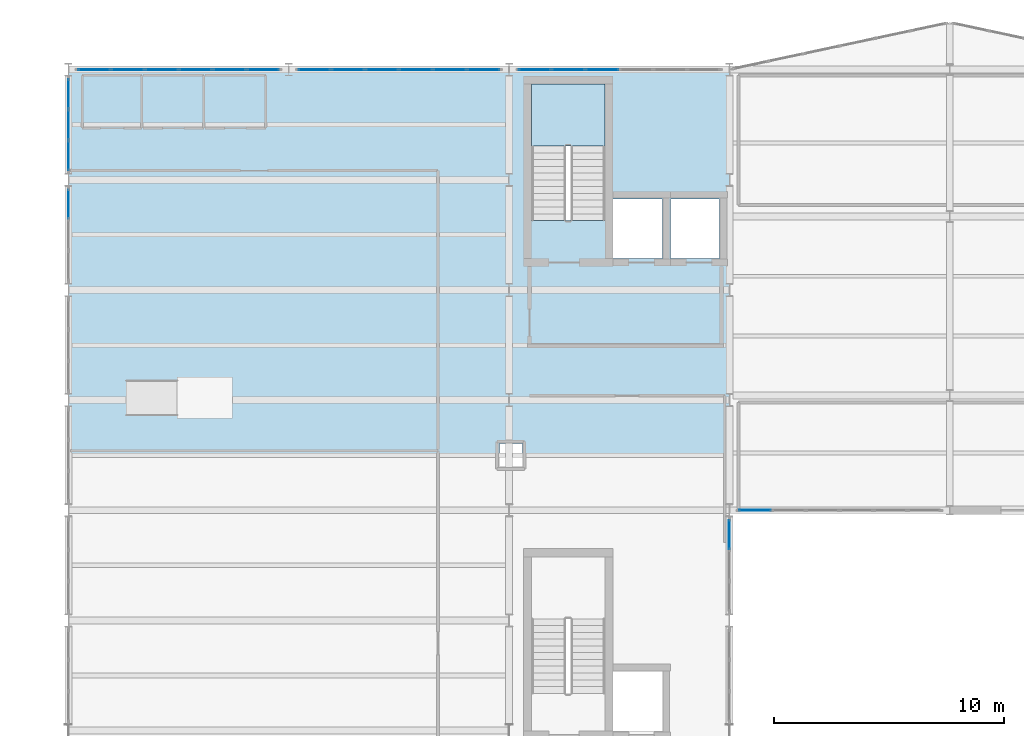
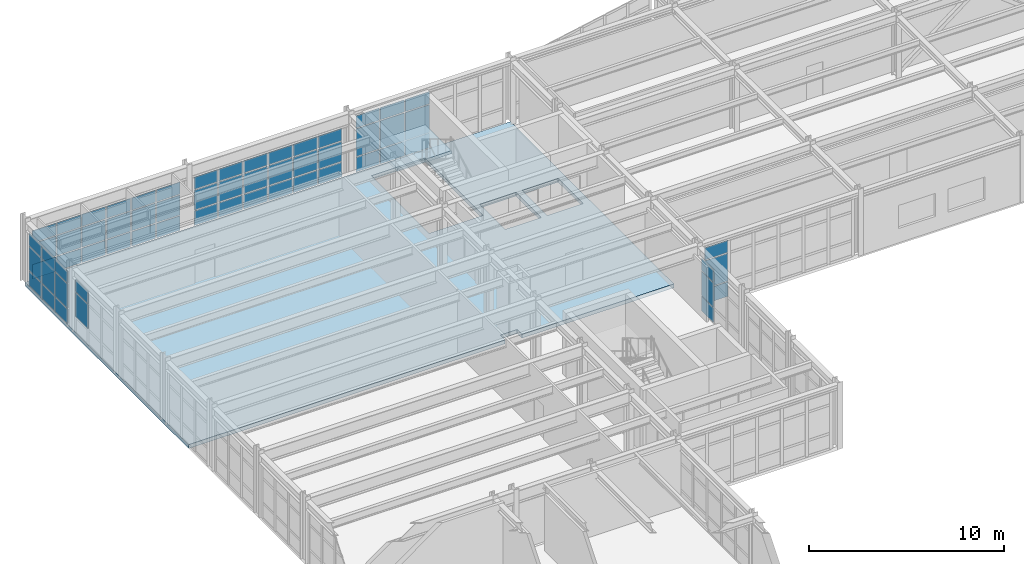
# One storey, part 57 of 88: 62 plates, 2 slabs, 8 elements without a shape of their own.
"""IFC4 building model written with IfcOpenShell, lengths in metres."""

from ifc_helpers import new_model, si_unit, direction, frame, origin, origin_2d, place, context, subcontext, project, spatial, polyline, rectangle, outline, extrude, material, layer, layer_set, type_object, element, aggregate, save


model = new_model("IFC4")

# Units and contexts
model_context = context("Model", 3, precision=1e-05, world=origin(), true_north=direction((0.0, 1.0)))
body_context = subcontext(model_context, "Body", "Model", "MODEL_VIEW")
ifc_project = project(units=[si_unit("LENGTHUNIT", "METRE"), si_unit("AREAUNIT", "SQUARE_METRE"), si_unit("VOLUMEUNIT", "CUBIC_METRE"), si_unit("PLANEANGLEUNIT", "RADIAN"), si_unit("MASSUNIT", "GRAM", prefix="KILO")], contexts=[model_context])

# Site, building, storey
site_placement = place(None, origin())
site = spatial("IfcSite", under=ifc_project, at=site_placement, CompositionType="ELEMENT")
building_placement = place(site_placement, origin())
building = spatial("IfcBuilding", under=site, at=building_placement, Name="Nordkorset Police Headquarters", CompositionType="ELEMENT")
storey_placement = place(building_placement, frame((0.0, 0.0, 9.449951171875)))
storey = spatial("IfcBuildingStorey", under=building, at=storey_placement, Name="L02", CompositionType="ELEMENT", Elevation=9.449951171875)

# Curtain wall, plates
ifc_material_1 = material(Name="Aluminium alloy AW-6060", Category="aluminium")
ifc_layer_1 = layer(ifc_material_1, 0.179931640625, Name="Aluminium alloy AW-6060")
ifc_layer_set_1 = layer_set([ifc_layer_1], Name="Aluminium alloy AW-6060")
curtain_wall_type_1 = type_object("IfcCurtainWallType", Name="CW_Unit_408x341", PredefinedType="USERDEFINED", material=ifc_layer_set_1)
curtain_wall_1_placement = place(storey_placement, origin())
curtain_wall_1 = element("IfcCurtainWall", 1, at=curtain_wall_1_placement, inside=storey, type_object=curtain_wall_type_1, Name="Unitised Curtain Wall L02 V1W-5", ObjectType="UNITISED CURTAIN WALL", PredefinedType="USERDEFINED")
ifc_material_2 = material(Name="Low-iron triple glazing", Category="glass")
ifc_layer_2 = layer(ifc_material_2, 0.035888671875, Name="Low-iron triple glazing")
ifc_layer_set_2 = layer_set([ifc_layer_2], Name="Low-iron triple glazing")
plate_type = type_object("IfcPlateType", Name="CW_Panel_TripleGlazing_36", PredefinedType="CURTAIN_PANEL", material=ifc_layer_set_2)
plate_1_placement = place(storey_placement, frame((0.0, 110.94384765625, 1.032470703125), z_axis=(0.0, 0.0, 1.0), x_axis=(0.0, 1.0, 0.0)))
plate_1 = element("IfcPlate", 2, at=plate_1_placement, type_object=plate_type, Name="CW-40 panel 3.2", PredefinedType="CURTAIN_PANEL", context=body_context, shape_type="SweptSolid", body=[
    extrude(rectangle(XDim=1.262451171875, YDim=0.035888671875, at=origin_2d()), origin(), (0.0, 0.0, 1.0), 1.4951171875),
])
plate_2_placement = place(storey_placement, frame((0.0, 110.94384765625, 2.592529296875), z_axis=(0.0, 0.0, 1.0), x_axis=(0.0, 1.0, 0.0)))
plate_2 = element("IfcPlate", 3, at=plate_2_placement, type_object=plate_type, Name="CW-40 panel 3.3", PredefinedType="CURTAIN_PANEL", context=body_context, shape_type="SweptSolid", body=[
    extrude(rectangle(XDim=1.262451171875, YDim=0.035888671875, at=origin_2d()), origin(), (0.0, 0.0, 1.0), 0.75244140625),
])
aggregate(curtain_wall_1, [plate_1, plate_2])

curtain_wall_2_placement = place(storey_placement, origin())
curtain_wall_2 = element("IfcCurtainWall", 4, at=curtain_wall_2_placement, inside=storey, type_object=curtain_wall_type_1, Name="Unitised Curtain Wall L02 V1W-6", ObjectType="UNITISED CURTAIN WALL", PredefinedType="USERDEFINED")
plate_3_placement = place(storey_placement, frame((0.0, 113.05615234375, 0.06494140625), z_axis=(0.0, 0.0, 1.0), x_axis=(0.0, 1.0, 0.0)))
plate_3 = element("IfcPlate", 5, at=plate_3_placement, type_object=plate_type, Name="CW-40 panel 1.1", PredefinedType="CURTAIN_PANEL", context=body_context, shape_type="SweptSolid", body=[
    extrude(rectangle(XDim=1.262451171875, YDim=0.035888671875, at=origin_2d()), origin(), (0.0, 0.0, 1.0), 0.902587890625),
])
plate_4_placement = place(storey_placement, frame((0.0, 113.05615234375, 1.032470703125), z_axis=(0.0, 0.0, 1.0), x_axis=(0.0, 1.0, 0.0)))
plate_4 = element("IfcPlate", 6, at=plate_4_placement, type_object=plate_type, Name="CW-40 panel 1.2", PredefinedType="CURTAIN_PANEL", context=body_context, shape_type="SweptSolid", body=[
    extrude(rectangle(XDim=1.262451171875, YDim=0.035888671875, at=origin_2d()), origin(), (0.0, 0.0, 1.0), 1.4951171875),
])
plate_5_placement = place(storey_placement, frame((0.0, 113.05615234375, 2.592529296875), z_axis=(0.0, 0.0, 1.0), x_axis=(0.0, 1.0, 0.0)))
plate_5 = element("IfcPlate", 7, at=plate_5_placement, type_object=plate_type, Name="CW-40 panel 1.3", PredefinedType="CURTAIN_PANEL", context=body_context, shape_type="SweptSolid", body=[
    extrude(rectangle(XDim=1.262451171875, YDim=0.035888671875, at=origin_2d()), origin(), (0.0, 0.0, 1.0), 0.75244140625),
])
plate_6_placement = place(storey_placement, frame((0.0, 114.39990234375, 0.06494140625), z_axis=(0.0, 0.0, 1.0), x_axis=(0.0, 1.0, 0.0)))
plate_6 = element("IfcPlate", 8, at=plate_6_placement, type_object=plate_type, Name="CW-40 panel 2.1", PredefinedType="CURTAIN_PANEL", context=body_context, shape_type="SweptSolid", body=[
    extrude(rectangle(XDim=1.294921875, YDim=0.035888671875, at=origin_2d()), origin(), (0.0, 0.0, 1.0), 0.902587890625),
])
plate_7_placement = place(storey_placement, frame((0.0, 114.39990234375, 1.032470703125), z_axis=(0.0, 0.0, 1.0), x_axis=(0.0, 1.0, 0.0)))
plate_7 = element("IfcPlate", 9, at=plate_7_placement, type_object=plate_type, Name="CW-40 panel 2.2", PredefinedType="CURTAIN_PANEL", context=body_context, shape_type="SweptSolid", body=[
    extrude(rectangle(XDim=1.294921875, YDim=0.035888671875, at=origin_2d()), origin(), (0.0, 0.0, 1.0), 1.4951171875),
])
plate_8_placement = place(storey_placement, frame((0.0, 114.39990234375, 2.592529296875), z_axis=(0.0, 0.0, 1.0), x_axis=(0.0, 1.0, 0.0)))
plate_8 = element("IfcPlate", 10, at=plate_8_placement, type_object=plate_type, Name="CW-40 panel 2.3", PredefinedType="CURTAIN_PANEL", context=body_context, shape_type="SweptSolid", body=[
    extrude(rectangle(XDim=1.294921875, YDim=0.035888671875, at=origin_2d()), origin(), (0.0, 0.0, 1.0), 0.75244140625),
])
plate_9_placement = place(storey_placement, frame((0.0, 115.74365234375, 0.06494140625), z_axis=(0.0, 0.0, 1.0), x_axis=(0.0, 1.0, 0.0)))
plate_9 = element("IfcPlate", 11, at=plate_9_placement, type_object=plate_type, Name="CW-40 panel 3.1", PredefinedType="CURTAIN_PANEL", context=body_context, shape_type="SweptSolid", body=[
    extrude(rectangle(XDim=1.262451171875, YDim=0.035888671875, at=origin_2d()), origin(), (0.0, 0.0, 1.0), 0.902587890625),
])
plate_10_placement = place(storey_placement, frame((0.0, 115.74365234375, 1.032470703125), z_axis=(0.0, 0.0, 1.0), x_axis=(0.0, 1.0, 0.0)))
plate_10 = element("IfcPlate", 12, at=plate_10_placement, type_object=plate_type, Name="CW-40 panel 3.2", PredefinedType="CURTAIN_PANEL", context=body_context, shape_type="SweptSolid", body=[
    extrude(rectangle(XDim=1.262451171875, YDim=0.035888671875, at=origin_2d()), origin(), (0.0, 0.0, 1.0), 1.4951171875),
])
plate_11_placement = place(storey_placement, frame((0.0, 115.74365234375, 2.592529296875), z_axis=(0.0, 0.0, 1.0), x_axis=(0.0, 1.0, 0.0)))
plate_11 = element("IfcPlate", 13, at=plate_11_placement, type_object=plate_type, Name="CW-40 panel 3.3", PredefinedType="CURTAIN_PANEL", context=body_context, shape_type="SweptSolid", body=[
    extrude(rectangle(XDim=1.262451171875, YDim=0.035888671875, at=origin_2d()), origin(), (0.0, 0.0, 1.0), 0.75244140625),
])
aggregate(curtain_wall_2, [plate_3, plate_4, plate_5, plate_6, plate_7, plate_8, plate_9, plate_10, plate_11])

ifc_material_3 = material(Name="Aluminium alloy AW-6060", Category="aluminium")
ifc_layer_3 = layer(ifc_material_3, 0.179931640625, Name="Aluminium alloy AW-6060")
ifc_layer_set_3 = layer_set([ifc_layer_3], Name="Aluminium alloy AW-6060")
curtain_wall_type_2 = type_object("IfcCurtainWallType", Name="CW_Unit_888x315", PredefinedType="USERDEFINED", material=ifc_layer_set_3)
curtain_wall_3_placement = place(storey_placement, origin())
curtain_wall_3 = element("IfcCurtainWall", 14, at=curtain_wall_3_placement, inside=storey, type_object=curtain_wall_type_2, Name="Unitised Curtain Wall L02 V1N-0", ObjectType="UNITISED CURTAIN WALL", PredefinedType="USERDEFINED")
plate_12_placement = place(storey_placement, frame((1.1162109375, 116.800048828125, 0.06494140625), z_axis=(0.0, 0.0, 1.0), x_axis=(1.0, 0.0, 0.0)))
plate_12 = element("IfcPlate", 15, at=plate_12_placement, type_object=plate_type, Name="CW-22 panel 1.1", PredefinedType="CURTAIN_PANEL", context=body_context, shape_type="SweptSolid", body=[
    extrude(rectangle(XDim=1.382568359375, YDim=0.035888671875, at=origin_2d()), origin(), (0.0, 0.0, 1.0), 0.902587890625),
])
plate_13_placement = place(storey_placement, frame((1.1162109375, 116.800048828125, 1.03271484375), z_axis=(0.0, 0.0, 1.0), x_axis=(1.0, 0.0, 0.0)))
plate_13 = element("IfcPlate", 16, at=plate_13_placement, type_object=plate_type, Name="CW-22 panel 1.2", PredefinedType="CURTAIN_PANEL", context=body_context, shape_type="SweptSolid", body=[
    extrude(rectangle(XDim=1.382568359375, YDim=0.035888671875, at=origin_2d()), origin(), (0.0, 0.0, 1.0), 1.235107421875),
])
plate_14_placement = place(storey_placement, frame((1.1162109375, 116.800048828125, 2.33251953125), z_axis=(0.0, 0.0, 1.0), x_axis=(1.0, 0.0, 0.0)))
plate_14 = element("IfcPlate", 17, at=plate_14_placement, type_object=plate_type, Name="CW-22 panel 1.3", PredefinedType="CURTAIN_PANEL", context=body_context, shape_type="SweptSolid", body=[
    extrude(rectangle(XDim=1.382568359375, YDim=0.035888671875, at=origin_2d()), origin(), (0.0, 0.0, 1.0), 0.75244140625),
])
plate_15_placement = place(storey_placement, frame((2.580078125, 116.800048828125, 0.06494140625), z_axis=(0.0, 0.0, 1.0), x_axis=(1.0, 0.0, 0.0)))
plate_15 = element("IfcPlate", 18, at=plate_15_placement, type_object=plate_type, Name="CW-22 panel 2.1", PredefinedType="CURTAIN_PANEL", context=body_context, shape_type="SweptSolid", body=[
    extrude(rectangle(XDim=1.4150390625, YDim=0.035888671875, at=origin_2d()), origin(), (0.0, 0.0, 1.0), 0.902587890625),
])
plate_16_placement = place(storey_placement, frame((2.580078125, 116.800048828125, 1.03271484375), z_axis=(0.0, 0.0, 1.0), x_axis=(1.0, 0.0, 0.0)))
plate_16 = element("IfcPlate", 19, at=plate_16_placement, type_object=plate_type, Name="CW-22 panel 2.2", PredefinedType="CURTAIN_PANEL", context=body_context, shape_type="SweptSolid", body=[
    extrude(rectangle(XDim=1.4150390625, YDim=0.035888671875, at=origin_2d()), origin(), (0.0, 0.0, 1.0), 1.235107421875),
])
plate_17_placement = place(storey_placement, frame((2.580078125, 116.800048828125, 2.33251953125), z_axis=(0.0, 0.0, 1.0), x_axis=(1.0, 0.0, 0.0)))
plate_17 = element("IfcPlate", 20, at=plate_17_placement, type_object=plate_type, Name="CW-22 panel 2.3", PredefinedType="CURTAIN_PANEL", context=body_context, shape_type="SweptSolid", body=[
    extrude(rectangle(XDim=1.4150390625, YDim=0.035888671875, at=origin_2d()), origin(), (0.0, 0.0, 1.0), 0.75244140625),
])
plate_18_placement = place(storey_placement, frame((4.06005859375, 116.800048828125, 0.06494140625), z_axis=(0.0, 0.0, 1.0), x_axis=(1.0, 0.0, 0.0)))
plate_18 = element("IfcPlate", 21, at=plate_18_placement, type_object=plate_type, Name="CW-22 panel 3.1", PredefinedType="CURTAIN_PANEL", context=body_context, shape_type="SweptSolid", body=[
    extrude(rectangle(XDim=1.4150390625, YDim=0.035888671875, at=origin_2d()), origin(), (0.0, 0.0, 1.0), 0.902587890625),
])
plate_19_placement = place(storey_placement, frame((4.06005859375, 116.800048828125, 1.03271484375), z_axis=(0.0, 0.0, 1.0), x_axis=(1.0, 0.0, 0.0)))
plate_19 = element("IfcPlate", 22, at=plate_19_placement, type_object=plate_type, Name="CW-22 panel 3.2", PredefinedType="CURTAIN_PANEL", context=body_context, shape_type="SweptSolid", body=[
    extrude(rectangle(XDim=1.4150390625, YDim=0.035888671875, at=origin_2d()), origin(), (0.0, 0.0, 1.0), 1.235107421875),
])
plate_20_placement = place(storey_placement, frame((4.06005859375, 116.800048828125, 2.33251953125), z_axis=(0.0, 0.0, 1.0), x_axis=(1.0, 0.0, 0.0)))
plate_20 = element("IfcPlate", 23, at=plate_20_placement, type_object=plate_type, Name="CW-22 panel 3.3", PredefinedType="CURTAIN_PANEL", context=body_context, shape_type="SweptSolid", body=[
    extrude(rectangle(XDim=1.4150390625, YDim=0.035888671875, at=origin_2d()), origin(), (0.0, 0.0, 1.0), 0.75244140625),
])
plate_21_placement = place(storey_placement, frame((5.5400390625, 116.800048828125, 0.06494140625), z_axis=(0.0, 0.0, 1.0), x_axis=(1.0, 0.0, 0.0)))
plate_21 = element("IfcPlate", 24, at=plate_21_placement, type_object=plate_type, Name="CW-22 panel 4.1", PredefinedType="CURTAIN_PANEL", context=body_context, shape_type="SweptSolid", body=[
    extrude(rectangle(XDim=1.4150390625, YDim=0.035888671875, at=origin_2d()), origin(), (0.0, 0.0, 1.0), 0.902587890625),
])
plate_22_placement = place(storey_placement, frame((5.5400390625, 116.800048828125, 1.03271484375), z_axis=(0.0, 0.0, 1.0), x_axis=(1.0, 0.0, 0.0)))
plate_22 = element("IfcPlate", 25, at=plate_22_placement, type_object=plate_type, Name="CW-22 panel 4.2", PredefinedType="CURTAIN_PANEL", context=body_context, shape_type="SweptSolid", body=[
    extrude(rectangle(XDim=1.4150390625, YDim=0.035888671875, at=origin_2d()), origin(), (0.0, 0.0, 1.0), 1.235107421875),
])
plate_23_placement = place(storey_placement, frame((5.5400390625, 116.800048828125, 2.33251953125), z_axis=(0.0, 0.0, 1.0), x_axis=(1.0, 0.0, 0.0)))
plate_23 = element("IfcPlate", 26, at=plate_23_placement, type_object=plate_type, Name="CW-22 panel 4.3", PredefinedType="CURTAIN_PANEL", context=body_context, shape_type="SweptSolid", body=[
    extrude(rectangle(XDim=1.4150390625, YDim=0.035888671875, at=origin_2d()), origin(), (0.0, 0.0, 1.0), 0.75244140625),
])
plate_24_placement = place(storey_placement, frame((7.02001953125, 116.800048828125, 0.06494140625), z_axis=(0.0, 0.0, 1.0), x_axis=(1.0, 0.0, 0.0)))
plate_24 = element("IfcPlate", 27, at=plate_24_placement, type_object=plate_type, Name="CW-22 panel 5.1", PredefinedType="CURTAIN_PANEL", context=body_context, shape_type="SweptSolid", body=[
    extrude(rectangle(XDim=1.4150390625, YDim=0.035888671875, at=origin_2d()), origin(), (0.0, 0.0, 1.0), 0.902587890625),
])
plate_25_placement = place(storey_placement, frame((7.02001953125, 116.800048828125, 1.03271484375), z_axis=(0.0, 0.0, 1.0), x_axis=(1.0, 0.0, 0.0)))
plate_25 = element("IfcPlate", 28, at=plate_25_placement, type_object=plate_type, Name="CW-22 panel 5.2", PredefinedType="CURTAIN_PANEL", context=body_context, shape_type="SweptSolid", body=[
    extrude(rectangle(XDim=1.4150390625, YDim=0.035888671875, at=origin_2d()), origin(), (0.0, 0.0, 1.0), 1.235107421875),
])
plate_26_placement = place(storey_placement, frame((7.02001953125, 116.800048828125, 2.33251953125), z_axis=(0.0, 0.0, 1.0), x_axis=(1.0, 0.0, 0.0)))
plate_26 = element("IfcPlate", 29, at=plate_26_placement, type_object=plate_type, Name="CW-22 panel 5.3", PredefinedType="CURTAIN_PANEL", context=body_context, shape_type="SweptSolid", body=[
    extrude(rectangle(XDim=1.4150390625, YDim=0.035888671875, at=origin_2d()), origin(), (0.0, 0.0, 1.0), 0.75244140625),
])
plate_27_placement = place(storey_placement, frame((8.483642578125, 116.800048828125, 0.06494140625), z_axis=(0.0, 0.0, 1.0), x_axis=(1.0, 0.0, 0.0)))
plate_27 = element("IfcPlate", 30, at=plate_27_placement, type_object=plate_type, Name="CW-22 panel 6.1", PredefinedType="CURTAIN_PANEL", context=body_context, shape_type="SweptSolid", body=[
    extrude(rectangle(XDim=1.382568359375, YDim=0.035888671875, at=origin_2d()), origin(), (0.0, 0.0, 1.0), 0.902587890625),
])
plate_28_placement = place(storey_placement, frame((8.483642578125, 116.800048828125, 1.03271484375), z_axis=(0.0, 0.0, 1.0), x_axis=(1.0, 0.0, 0.0)))
plate_28 = element("IfcPlate", 31, at=plate_28_placement, type_object=plate_type, Name="CW-22 panel 6.2", PredefinedType="CURTAIN_PANEL", context=body_context, shape_type="SweptSolid", body=[
    extrude(rectangle(XDim=1.382568359375, YDim=0.035888671875, at=origin_2d()), origin(), (0.0, 0.0, 1.0), 1.235107421875),
])
plate_29_placement = place(storey_placement, frame((8.483642578125, 116.800048828125, 2.33251953125), z_axis=(0.0, 0.0, 1.0), x_axis=(1.0, 0.0, 0.0)))
plate_29 = element("IfcPlate", 32, at=plate_29_placement, type_object=plate_type, Name="CW-22 panel 6.3", PredefinedType="CURTAIN_PANEL", context=body_context, shape_type="SweptSolid", body=[
    extrude(rectangle(XDim=1.382568359375, YDim=0.035888671875, at=origin_2d()), origin(), (0.0, 0.0, 1.0), 0.75244140625),
])
aggregate(curtain_wall_3, [plate_12, plate_13, plate_14, plate_15, plate_16, plate_17, plate_18, plate_19, plate_20, plate_21, plate_22, plate_23, plate_24, plate_25, plate_26, plate_27, plate_28, plate_29])

curtain_wall_4_placement = place(storey_placement, origin())
curtain_wall_4 = element("IfcCurtainWall", 33, at=curtain_wall_4_placement, inside=storey, type_object=curtain_wall_type_2, Name="Unitised Curtain Wall L02 V1N-1", ObjectType="UNITISED CURTAIN WALL", PredefinedType="USERDEFINED")
plate_30_placement = place(storey_placement, frame((10.71630859375, 116.800048828125, 0.06494140625), z_axis=(0.0, 0.0, 1.0), x_axis=(1.0, 0.0, 0.0)))
plate_30 = element("IfcPlate", 34, at=plate_30_placement, type_object=plate_type, Name="CW-22 panel 1.1", PredefinedType="CURTAIN_PANEL", context=body_context, shape_type="SweptSolid", body=[
    extrude(rectangle(XDim=1.382568359375, YDim=0.035888671875, at=origin_2d()), origin(), (0.0, 0.0, 1.0), 0.902587890625),
])
plate_31_placement = place(storey_placement, frame((10.71630859375, 116.800048828125, 1.03271484375), z_axis=(0.0, 0.0, 1.0), x_axis=(1.0, 0.0, 0.0)))
plate_31 = element("IfcPlate", 35, at=plate_31_placement, type_object=plate_type, Name="CW-22 panel 1.2", PredefinedType="CURTAIN_PANEL", context=body_context, shape_type="SweptSolid", body=[
    extrude(rectangle(XDim=1.382568359375, YDim=0.035888671875, at=origin_2d()), origin(), (0.0, 0.0, 1.0), 1.235107421875),
])
plate_32_placement = place(storey_placement, frame((10.71630859375, 116.800048828125, 2.33251953125), z_axis=(0.0, 0.0, 1.0), x_axis=(1.0, 0.0, 0.0)))
plate_32 = element("IfcPlate", 36, at=plate_32_placement, type_object=plate_type, Name="CW-22 panel 1.3", PredefinedType="CURTAIN_PANEL", context=body_context, shape_type="SweptSolid", body=[
    extrude(rectangle(XDim=1.382568359375, YDim=0.035888671875, at=origin_2d()), origin(), (0.0, 0.0, 1.0), 0.75244140625),
])
plate_33_placement = place(storey_placement, frame((12.179931640625, 116.800048828125, 0.06494140625), z_axis=(0.0, 0.0, 1.0), x_axis=(1.0, 0.0, 0.0)))
plate_33 = element("IfcPlate", 37, at=plate_33_placement, type_object=plate_type, Name="CW-22 panel 2.1", PredefinedType="CURTAIN_PANEL", context=body_context, shape_type="SweptSolid", body=[
    extrude(rectangle(XDim=1.4150390625, YDim=0.035888671875, at=origin_2d()), origin(), (0.0, 0.0, 1.0), 0.902587890625),
])
plate_34_placement = place(storey_placement, frame((12.179931640625, 116.800048828125, 1.03271484375), z_axis=(0.0, 0.0, 1.0), x_axis=(1.0, 0.0, 0.0)))
plate_34 = element("IfcPlate", 38, at=plate_34_placement, type_object=plate_type, Name="CW-22 panel 2.2", PredefinedType="CURTAIN_PANEL", context=body_context, shape_type="SweptSolid", body=[
    extrude(rectangle(XDim=1.4150390625, YDim=0.035888671875, at=origin_2d()), origin(), (0.0, 0.0, 1.0), 1.235107421875),
])
plate_35_placement = place(storey_placement, frame((12.179931640625, 116.800048828125, 2.33251953125), z_axis=(0.0, 0.0, 1.0), x_axis=(1.0, 0.0, 0.0)))
plate_35 = element("IfcPlate", 39, at=plate_35_placement, type_object=plate_type, Name="CW-22 panel 2.3", PredefinedType="CURTAIN_PANEL", context=body_context, shape_type="SweptSolid", body=[
    extrude(rectangle(XDim=1.4150390625, YDim=0.035888671875, at=origin_2d()), origin(), (0.0, 0.0, 1.0), 0.75244140625),
])
plate_36_placement = place(storey_placement, frame((13.659912109375, 116.800048828125, 0.06494140625), z_axis=(0.0, 0.0, 1.0), x_axis=(1.0, 0.0, 0.0)))
plate_36 = element("IfcPlate", 40, at=plate_36_placement, type_object=plate_type, Name="CW-22 panel 3.1", PredefinedType="CURTAIN_PANEL", context=body_context, shape_type="SweptSolid", body=[
    extrude(rectangle(XDim=1.4150390625, YDim=0.035888671875, at=origin_2d()), origin(), (0.0, 0.0, 1.0), 0.902587890625),
])
plate_37_placement = place(storey_placement, frame((13.659912109375, 116.800048828125, 1.03271484375), z_axis=(0.0, 0.0, 1.0), x_axis=(1.0, 0.0, 0.0)))
plate_37 = element("IfcPlate", 41, at=plate_37_placement, type_object=plate_type, Name="CW-22 panel 3.2", PredefinedType="CURTAIN_PANEL", context=body_context, shape_type="SweptSolid", body=[
    extrude(rectangle(XDim=1.4150390625, YDim=0.035888671875, at=origin_2d()), origin(), (0.0, 0.0, 1.0), 1.235107421875),
])
plate_38_placement = place(storey_placement, frame((13.659912109375, 116.800048828125, 2.33251953125), z_axis=(0.0, 0.0, 1.0), x_axis=(1.0, 0.0, 0.0)))
plate_38 = element("IfcPlate", 42, at=plate_38_placement, type_object=plate_type, Name="CW-22 panel 3.3", PredefinedType="CURTAIN_PANEL", context=body_context, shape_type="SweptSolid", body=[
    extrude(rectangle(XDim=1.4150390625, YDim=0.035888671875, at=origin_2d()), origin(), (0.0, 0.0, 1.0), 0.75244140625),
])
plate_39_placement = place(storey_placement, frame((15.139892578125, 116.800048828125, 0.06494140625), z_axis=(0.0, 0.0, 1.0), x_axis=(1.0, 0.0, 0.0)))
plate_39 = element("IfcPlate", 43, at=plate_39_placement, type_object=plate_type, Name="CW-22 panel 4.1", PredefinedType="CURTAIN_PANEL", context=body_context, shape_type="SweptSolid", body=[
    extrude(rectangle(XDim=1.4150390625, YDim=0.035888671875, at=origin_2d()), origin(), (0.0, 0.0, 1.0), 0.902587890625),
])
plate_40_placement = place(storey_placement, frame((15.139892578125, 116.800048828125, 1.03271484375), z_axis=(0.0, 0.0, 1.0), x_axis=(1.0, 0.0, 0.0)))
plate_40 = element("IfcPlate", 44, at=plate_40_placement, type_object=plate_type, Name="CW-22 panel 4.2", PredefinedType="CURTAIN_PANEL", context=body_context, shape_type="SweptSolid", body=[
    extrude(rectangle(XDim=1.4150390625, YDim=0.035888671875, at=origin_2d()), origin(), (0.0, 0.0, 1.0), 1.235107421875),
])
plate_41_placement = place(storey_placement, frame((15.139892578125, 116.800048828125, 2.33251953125), z_axis=(0.0, 0.0, 1.0), x_axis=(1.0, 0.0, 0.0)))
plate_41 = element("IfcPlate", 45, at=plate_41_placement, type_object=plate_type, Name="CW-22 panel 4.3", PredefinedType="CURTAIN_PANEL", context=body_context, shape_type="SweptSolid", body=[
    extrude(rectangle(XDim=1.4150390625, YDim=0.035888671875, at=origin_2d()), origin(), (0.0, 0.0, 1.0), 0.75244140625),
])
plate_42_placement = place(storey_placement, frame((16.6201171875, 116.800048828125, 0.06494140625), z_axis=(0.0, 0.0, 1.0), x_axis=(1.0, 0.0, 0.0)))
plate_42 = element("IfcPlate", 46, at=plate_42_placement, type_object=plate_type, Name="CW-22 panel 5.1", PredefinedType="CURTAIN_PANEL", context=body_context, shape_type="SweptSolid", body=[
    extrude(rectangle(XDim=1.4150390625, YDim=0.035888671875, at=origin_2d()), origin(), (0.0, 0.0, 1.0), 0.902587890625),
])
plate_43_placement = place(storey_placement, frame((16.6201171875, 116.800048828125, 1.03271484375), z_axis=(0.0, 0.0, 1.0), x_axis=(1.0, 0.0, 0.0)))
plate_43 = element("IfcPlate", 47, at=plate_43_placement, type_object=plate_type, Name="CW-22 panel 5.2", PredefinedType="CURTAIN_PANEL", context=body_context, shape_type="SweptSolid", body=[
    extrude(rectangle(XDim=1.4150390625, YDim=0.035888671875, at=origin_2d()), origin(), (0.0, 0.0, 1.0), 1.235107421875),
])
plate_44_placement = place(storey_placement, frame((16.6201171875, 116.800048828125, 2.33251953125), z_axis=(0.0, 0.0, 1.0), x_axis=(1.0, 0.0, 0.0)))
plate_44 = element("IfcPlate", 48, at=plate_44_placement, type_object=plate_type, Name="CW-22 panel 5.3", PredefinedType="CURTAIN_PANEL", context=body_context, shape_type="SweptSolid", body=[
    extrude(rectangle(XDim=1.4150390625, YDim=0.035888671875, at=origin_2d()), origin(), (0.0, 0.0, 1.0), 0.75244140625),
])
plate_45_placement = place(storey_placement, frame((18.083740234375, 116.800048828125, 0.06494140625), z_axis=(0.0, 0.0, 1.0), x_axis=(1.0, 0.0, 0.0)))
plate_45 = element("IfcPlate", 49, at=plate_45_placement, type_object=plate_type, Name="CW-22 panel 6.1", PredefinedType="CURTAIN_PANEL", context=body_context, shape_type="SweptSolid", body=[
    extrude(rectangle(XDim=1.382568359375, YDim=0.035888671875, at=origin_2d()), origin(), (0.0, 0.0, 1.0), 0.902587890625),
])
plate_46_placement = place(storey_placement, frame((18.083740234375, 116.800048828125, 1.03271484375), z_axis=(0.0, 0.0, 1.0), x_axis=(1.0, 0.0, 0.0)))
plate_46 = element("IfcPlate", 50, at=plate_46_placement, type_object=plate_type, Name="CW-22 panel 6.2", PredefinedType="CURTAIN_PANEL", context=body_context, shape_type="SweptSolid", body=[
    extrude(rectangle(XDim=1.382568359375, YDim=0.035888671875, at=origin_2d()), origin(), (0.0, 0.0, 1.0), 1.235107421875),
])
plate_47_placement = place(storey_placement, frame((18.083740234375, 116.800048828125, 2.33251953125), z_axis=(0.0, 0.0, 1.0), x_axis=(1.0, 0.0, 0.0)))
plate_47 = element("IfcPlate", 51, at=plate_47_placement, type_object=plate_type, Name="CW-22 panel 6.3", PredefinedType="CURTAIN_PANEL", context=body_context, shape_type="SweptSolid", body=[
    extrude(rectangle(XDim=1.382568359375, YDim=0.035888671875, at=origin_2d()), origin(), (0.0, 0.0, 1.0), 0.75244140625),
])
aggregate(curtain_wall_4, [plate_30, plate_31, plate_32, plate_33, plate_34, plate_35, plate_36, plate_37, plate_38, plate_39, plate_40, plate_41, plate_42, plate_43, plate_44, plate_45, plate_46, plate_47])

ifc_material_4 = material(Name="Aluminium alloy AW-6060", Category="aluminium")
ifc_layer_4 = layer(ifc_material_4, 0.179931640625, Name="Aluminium alloy AW-6060")
ifc_layer_set_4 = layer_set([ifc_layer_4], Name="Aluminium alloy AW-6060")
curtain_wall_type_3 = type_object("IfcCurtainWallType", Name="CW_Unit_888x364", PredefinedType="USERDEFINED", material=ifc_layer_set_4)
curtain_wall_5_placement = place(storey_placement, origin())
curtain_wall_5 = element("IfcCurtainWall", 52, at=curtain_wall_5_placement, inside=storey, type_object=curtain_wall_type_3, Name="Unitised Curtain Wall L02 V1N-2", ObjectType="UNITISED CURTAIN WALL", PredefinedType="USERDEFINED")
plate_48_placement = place(storey_placement, frame((20.316162109375, 116.800048828125, 0.06494140625), z_axis=(0.0, 0.0, 1.0), x_axis=(1.0, 0.0, 0.0)))
plate_48 = element("IfcPlate", 53, at=plate_48_placement, type_object=plate_type, Name="CW-53 panel 1.1", PredefinedType="CURTAIN_PANEL", context=body_context, shape_type="SweptSolid", body=[
    extrude(rectangle(XDim=1.382568359375, YDim=0.035888671875, at=origin_2d()), origin(), (0.0, 0.0, 1.0), 0.902587890625),
])
plate_49_placement = place(storey_placement, frame((20.316162109375, 116.800048828125, 1.032470703125), z_axis=(0.0, 0.0, 1.0), x_axis=(1.0, 0.0, 0.0)))
plate_49 = element("IfcPlate", 54, at=plate_49_placement, type_object=plate_type, Name="CW-53 panel 1.2", PredefinedType="CURTAIN_PANEL", context=body_context, shape_type="SweptSolid", body=[
    extrude(rectangle(XDim=1.382568359375, YDim=0.035888671875, at=origin_2d()), origin(), (0.0, 0.0, 1.0), 1.72509765625),
])
plate_50_placement = place(storey_placement, frame((20.316162109375, 116.800048828125, 2.822509765625), z_axis=(0.0, 0.0, 1.0), x_axis=(1.0, 0.0, 0.0)))
plate_50 = element("IfcPlate", 55, at=plate_50_placement, type_object=plate_type, Name="CW-53 panel 1.3", PredefinedType="CURTAIN_PANEL", context=body_context, shape_type="SweptSolid", body=[
    extrude(rectangle(XDim=1.382568359375, YDim=0.035888671875, at=origin_2d()), origin(), (0.0, 0.0, 1.0), 0.75244140625),
])
plate_51_placement = place(storey_placement, frame((21.780029296875, 116.800048828125, 0.06494140625), z_axis=(0.0, 0.0, 1.0), x_axis=(1.0, 0.0, 0.0)))
plate_51 = element("IfcPlate", 56, at=plate_51_placement, type_object=plate_type, Name="CW-53 panel 2.1", PredefinedType="CURTAIN_PANEL", context=body_context, shape_type="SweptSolid", body=[
    extrude(rectangle(XDim=1.4150390625, YDim=0.035888671875, at=origin_2d()), origin(), (0.0, 0.0, 1.0), 0.902587890625),
])
plate_52_placement = place(storey_placement, frame((21.780029296875, 116.800048828125, 1.032470703125), z_axis=(0.0, 0.0, 1.0), x_axis=(1.0, 0.0, 0.0)))
plate_52 = element("IfcPlate", 57, at=plate_52_placement, type_object=plate_type, Name="CW-53 panel 2.2", PredefinedType="CURTAIN_PANEL", context=body_context, shape_type="SweptSolid", body=[
    extrude(rectangle(XDim=1.4150390625, YDim=0.035888671875, at=origin_2d()), origin(), (0.0, 0.0, 1.0), 1.72509765625),
])
plate_53_placement = place(storey_placement, frame((21.780029296875, 116.800048828125, 2.822509765625), z_axis=(0.0, 0.0, 1.0), x_axis=(1.0, 0.0, 0.0)))
plate_53 = element("IfcPlate", 58, at=plate_53_placement, type_object=plate_type, Name="CW-53 panel 2.3", PredefinedType="CURTAIN_PANEL", context=body_context, shape_type="SweptSolid", body=[
    extrude(rectangle(XDim=1.4150390625, YDim=0.035888671875, at=origin_2d()), origin(), (0.0, 0.0, 1.0), 0.75244140625),
])
plate_54_placement = place(storey_placement, frame((23.260009765625, 116.800048828125, 0.06494140625), z_axis=(0.0, 0.0, 1.0), x_axis=(1.0, 0.0, 0.0)))
plate_54 = element("IfcPlate", 59, at=plate_54_placement, type_object=plate_type, Name="CW-53 panel 3.1", PredefinedType="CURTAIN_PANEL", context=body_context, shape_type="SweptSolid", body=[
    extrude(rectangle(XDim=1.4150390625, YDim=0.035888671875, at=origin_2d()), origin(), (0.0, 0.0, 1.0), 0.902587890625),
])
plate_55_placement = place(storey_placement, frame((23.260009765625, 116.800048828125, 1.032470703125), z_axis=(0.0, 0.0, 1.0), x_axis=(1.0, 0.0, 0.0)))
plate_55 = element("IfcPlate", 60, at=plate_55_placement, type_object=plate_type, Name="CW-53 panel 3.2", PredefinedType="CURTAIN_PANEL", context=body_context, shape_type="SweptSolid", body=[
    extrude(rectangle(XDim=1.4150390625, YDim=0.035888671875, at=origin_2d()), origin(), (0.0, 0.0, 1.0), 1.72509765625),
])
plate_56_placement = place(storey_placement, frame((23.260009765625, 116.800048828125, 2.822509765625), z_axis=(0.0, 0.0, 1.0), x_axis=(1.0, 0.0, 0.0)))
plate_56 = element("IfcPlate", 61, at=plate_56_placement, type_object=plate_type, Name="CW-53 panel 3.3", PredefinedType="CURTAIN_PANEL", context=body_context, shape_type="SweptSolid", body=[
    extrude(rectangle(XDim=1.4150390625, YDim=0.035888671875, at=origin_2d()), origin(), (0.0, 0.0, 1.0), 0.75244140625),
])
aggregate(curtain_wall_5, [plate_48, plate_49, plate_50, plate_51, plate_52, plate_53, plate_54, plate_55, plate_56])

curtain_wall_6_placement = place(storey_placement, origin())
curtain_wall_6 = element("IfcCurtainWall", 62, at=curtain_wall_6_placement, inside=storey, type_object=curtain_wall_type_1, Name="Unitised Curtain Wall L02 V1E-2", ObjectType="UNITISED CURTAIN WALL", PredefinedType="USERDEFINED")
plate_57_placement = place(storey_placement, frame((28.800048828125, 96.543701171875, 0.06494140625), z_axis=(0.0, 0.0, 1.0), x_axis=(0.0, 1.0, 0.0)))
plate_57 = element("IfcPlate", 63, at=plate_57_placement, type_object=plate_type, Name="CW-40 panel 3.1", PredefinedType="CURTAIN_PANEL", context=body_context, shape_type="SweptSolid", body=[
    extrude(rectangle(XDim=1.262451171875, YDim=0.035888671875, at=origin_2d()), origin(), (0.0, 0.0, 1.0), 0.902587890625),
])
plate_58_placement = place(storey_placement, frame((28.800048828125, 96.543701171875, 1.032470703125), z_axis=(0.0, 0.0, 1.0), x_axis=(0.0, 1.0, 0.0)))
plate_58 = element("IfcPlate", 64, at=plate_58_placement, type_object=plate_type, Name="CW-40 panel 3.2", PredefinedType="CURTAIN_PANEL", context=body_context, shape_type="SweptSolid", body=[
    extrude(rectangle(XDim=1.262451171875, YDim=0.035888671875, at=origin_2d()), origin(), (0.0, 0.0, 1.0), 1.4951171875),
])
plate_59_placement = place(storey_placement, frame((28.800048828125, 96.543701171875, 2.592529296875), z_axis=(0.0, 0.0, 1.0), x_axis=(0.0, 1.0, 0.0)))
plate_59 = element("IfcPlate", 65, at=plate_59_placement, type_object=plate_type, Name="CW-40 panel 3.3", PredefinedType="CURTAIN_PANEL", context=body_context, shape_type="SweptSolid", body=[
    extrude(rectangle(XDim=1.262451171875, YDim=0.035888671875, at=origin_2d()), origin(), (0.0, 0.0, 1.0), 0.75244140625),
])
aggregate(curtain_wall_6, [plate_57, plate_58, plate_59])

curtain_wall_7_placement = place(storey_placement, origin())
curtain_wall_7 = element("IfcCurtainWall", 66, at=curtain_wall_7_placement, inside=storey, type_object=curtain_wall_type_3, Name="Unitised Curtain Wall L02 V2S-0", ObjectType="UNITISED CURTAIN WALL", PredefinedType="USERDEFINED")
plate_60_placement = place(storey_placement, frame((29.916259765625, 97.60009765625, 0.06494140625), z_axis=(0.0, 0.0, 1.0), x_axis=(1.0, 0.0, 0.0)))
plate_60 = element("IfcPlate", 67, at=plate_60_placement, type_object=plate_type, Name="CW-53 panel 1.1", PredefinedType="CURTAIN_PANEL", context=body_context, shape_type="SweptSolid", body=[
    extrude(rectangle(XDim=1.382568359375, YDim=0.035888671875, at=origin_2d()), origin(), (0.0, 0.0, 1.0), 0.902587890625),
])
plate_61_placement = place(storey_placement, frame((29.916259765625, 97.60009765625, 1.032470703125), z_axis=(0.0, 0.0, 1.0), x_axis=(1.0, 0.0, 0.0)))
plate_61 = element("IfcPlate", 68, at=plate_61_placement, type_object=plate_type, Name="CW-53 panel 1.2", PredefinedType="CURTAIN_PANEL", context=body_context, shape_type="SweptSolid", body=[
    extrude(rectangle(XDim=1.382568359375, YDim=0.035888671875, at=origin_2d()), origin(), (0.0, 0.0, 1.0), 1.72509765625),
])
plate_62_placement = place(storey_placement, frame((29.916259765625, 97.60009765625, 2.822509765625), z_axis=(0.0, 0.0, 1.0), x_axis=(1.0, 0.0, 0.0)))
plate_62 = element("IfcPlate", 69, at=plate_62_placement, type_object=plate_type, Name="CW-53 panel 1.3", PredefinedType="CURTAIN_PANEL", context=body_context, shape_type="SweptSolid", body=[
    extrude(rectangle(XDim=1.382568359375, YDim=0.035888671875, at=origin_2d()), origin(), (0.0, 0.0, 1.0), 0.75244140625),
])
aggregate(curtain_wall_7, [plate_60, plate_61, plate_62])

# Slab
ifc_material_5 = material(Name="Concrete C35/45", Category="concrete")
ifc_layer_5 = layer(ifc_material_5, 0.239990234375, Name="Concrete C35/45")
ifc_layer_set_5 = layer_set([ifc_layer_5], Name="Concrete C35/45")
slab_type_1 = type_object("IfcSlabType", Name="Slab_Lab_240", PredefinedType="FLOOR", material=ifc_layer_set_5)
slab_1_placement = place(storey_placement, frame((0.0, 0.0, -0.239990234375)))
element("IfcSlab", 70, at=slab_1_placement, inside=storey, type_object=slab_type_1, Name="Composite Floor Slab V1 North L02", PredefinedType="FLOOR", context=body_context, shape_type="SweptSolid", body=[
    extrude(outline(polyline([(28.800048828125, 100.0048828125), (19.780029296875, 100.0048828125), (19.780029296875, 100.5), (18.780029296875, 100.5), (18.780029296875, 100.0048828125), (0.0, 100.0048828125), (0.0, 116.800048828125), (28.800048828125, 116.800048828125), (28.800048828125, 100.0048828125)]), holes=[polyline([(20.175048828125, 110.22802734375), (23.375, 110.22802734375), (23.375, 116.175048828125), (20.175048828125, 116.175048828125), (20.175048828125, 110.22802734375)]), polyline([(23.72509765625, 111.175048828125), (23.72509765625, 108.574951171875), (25.875, 108.574951171875), (25.875, 111.175048828125), (23.72509765625, 111.175048828125)]), polyline([(28.375, 111.175048828125), (26.22509765625, 111.175048828125), (26.22509765625, 108.574951171875), (28.375, 108.574951171875), (28.375, 111.175048828125)])]), origin(), (0.0, 0.0, 1.0), 0.239990234375),
])

# Stair, slab
ifc_material_6 = material(Name="Concrete C35/45", Category="concrete")
stair_type = type_object("IfcStairType", Name="ST-42", PredefinedType="HALF_TURN_STAIR", material=ifc_material_6)
stair_placement = place(storey_placement, origin())
stair = element("IfcStair", 71, at=stair_placement, inside=storey, type_object=stair_type, Name="L02 Protected Escape Stair ST-01", PredefinedType="HALF_TURN_STAIR")
ifc_material_7 = material(Name="Concrete C35/45", Category="concrete")
ifc_layer_6 = layer(ifc_material_7, 0.199951171875, Name="Concrete C35/45")
ifc_layer_set_6 = layer_set([ifc_layer_6], Name="Concrete C35/45")
slab_type_2 = type_object("IfcSlabType", Name="Slab_StairLanding_200", PredefinedType="LANDING", material=ifc_layer_set_6)
slab_2_placement = place(storey_placement, frame((0.0, 0.0, 1.900146484375)))
slab_2 = element("IfcSlab", 72, at=slab_2_placement, type_object=slab_type_2, Name="ST-01 landing 1", PredefinedType="LANDING", context=body_context, shape_type="SweptSolid", body=[
    extrude(outline(polyline([(23.375, 113.469970703125), (23.375, 116.175048828125), (20.175048828125, 116.175048828125), (20.175048828125, 113.469970703125), (23.375, 113.469970703125)])), origin(), (0.0, 0.0, 1.0), 0.199951171875),
])
aggregate(stair, [slab_2])

save(model, "model.ifc")
